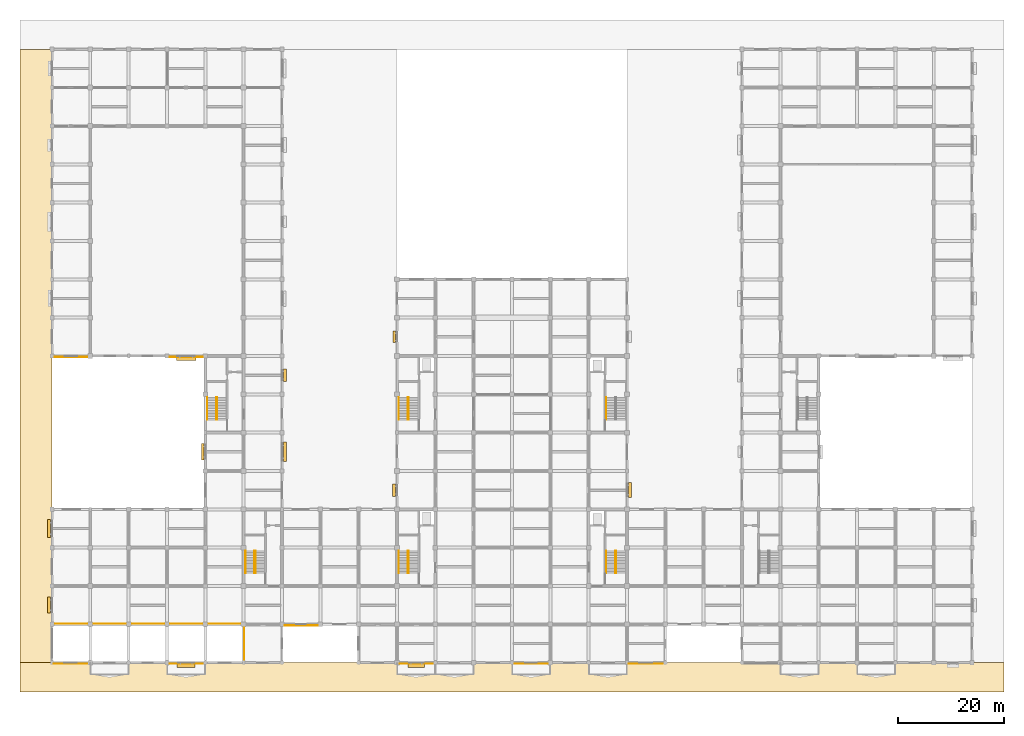
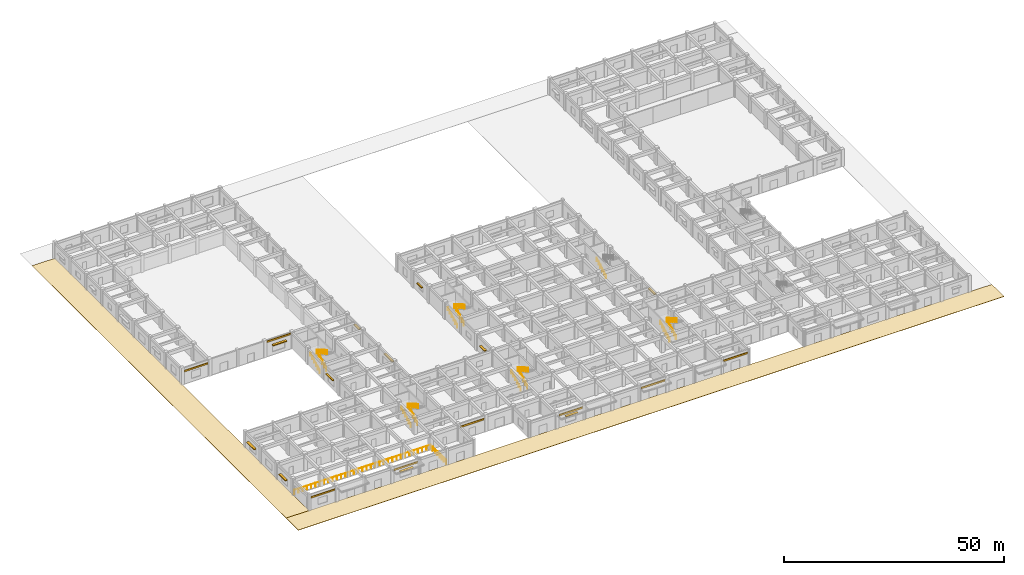
# One storey, part 35 of 37: 12 railings, 11 shading devices, 10 coverings.
"""IFC4 building model written with IfcOpenShell, lengths in metres."""

from ifc_helpers import new_model, si_unit, direction, frame, origin, origin_2d, place, context, subcontext, project, spatial, polyline, rectangle, circle, outline, extrude, material, layer, layer_set, type_object, element, save


model = new_model("IFC4")

# Units and contexts
model_context = context("Model", 3, precision=1e-05, world=origin(), true_north=direction((0.0, 1.0)))
body_context = subcontext(model_context, "Body", "Model", "MODEL_VIEW")
ifc_project = project(units=[si_unit("LENGTHUNIT", "METRE"), si_unit("AREAUNIT", "SQUARE_METRE"), si_unit("VOLUMEUNIT", "CUBIC_METRE"), si_unit("PLANEANGLEUNIT", "RADIAN"), si_unit("MASSUNIT", "GRAM", prefix="KILO")], contexts=[model_context])

# Site, building, storey
site_placement = place(None, origin())
site = spatial("IfcSite", under=ifc_project, at=site_placement, CompositionType="ELEMENT")
building_placement = place(site_placement, origin())
building = spatial("IfcBuilding", under=site, at=building_placement, Name="Cendaluz Park School", CompositionType="ELEMENT")
storey_placement = place(building_placement, origin())
storey = spatial("IfcBuildingStorey", under=building, at=storey_placement, Name="L00", CompositionType="ELEMENT", Elevation=0.0)

# Coverings
ifc_material_1 = material(Name="Polychrome Majolica Tile")
ifc_layer_1 = layer(ifc_material_1, 0.0400390625)
ifc_layer_set_1 = layer_set([ifc_layer_1], Name="Polychrome Majolica Tile")
covering_type_1 = type_object("IfcCoveringType", Name="CV-CL01", PredefinedType="CLADDING", material=ifc_layer_set_1)
covering_1_placement = place(storey_placement, frame((0.0, 0.0, 3.340087890625)))
element("IfcCovering", 1, at=covering_1_placement, inside=storey, type_object=covering_type_1, Name="CV-CL-L00-00-00", PredefinedType="CLADDING", context=body_context, shape_type="SweptSolid", body=[
    extrude(outline(polyline([(0.35009765625, -0.219970703125), (6.64990234375, -0.219970703125), (6.64990234375, -0.177978515625), (0.35009765625, -0.177978515625), (0.35009765625, -0.219970703125)])), origin(), (0.0, 0.0, 1.0), 0.5),
])
covering_2_placement = place(storey_placement, frame((0.0, 0.0, 3.340087890625)))
element("IfcCovering", 2, at=covering_2_placement, inside=storey, type_object=covering_type_1, Name="CV-CL-L00-00-08", PredefinedType="CLADDING", context=body_context, shape_type="SweptSolid", body=[
    extrude(outline(polyline([(0.5, 57.3798828125), (6.64990234375, 57.3798828125), (6.64990234375, 57.422119140625), (0.5, 57.422119140625), (0.5, 57.3798828125)])), origin(), (0.0, 0.0, 1.0), 0.5),
])
covering_3_placement = place(storey_placement, frame((0.0, 0.0, 3.340087890625)))
element("IfcCovering", 3, at=covering_3_placement, inside=storey, type_object=covering_type_1, Name="CV-CL-L00-03-00", PredefinedType="CLADDING", context=body_context, shape_type="SweptSolid", body=[
    extrude(outline(polyline([(22.10009765625, -0.219970703125), (28.324951171875, -0.219970703125), (28.324951171875, -0.177978515625), (22.10009765625, -0.177978515625), (22.10009765625, -0.219970703125)])), origin(), (0.0, 0.0, 1.0), 0.5),
])
covering_4_placement = place(storey_placement, frame((0.0, 0.0, 3.919921875)))
element("IfcCovering", 4, at=covering_4_placement, inside=storey, type_object=covering_type_1, Name="CV-CL-L00-03-08", PredefinedType="CLADDING", context=body_context, shape_type="SweptSolid", body=[
    extrude(outline(polyline([(22.10009765625, 57.3798828125), (28.300048828125, 57.3798828125), (28.300048828125, 57.422119140625), (22.10009765625, 57.422119140625), (22.10009765625, 57.3798828125)])), origin(), (0.0, 0.0, 1.0), 0.5),
])
covering_5_placement = place(storey_placement, frame((0.0, 0.0, 3.340087890625)))
element("IfcCovering", 5, at=covering_5_placement, inside=storey, type_object=covering_type_1, Name="CV-CL-L00-06-01", PredefinedType="CLADDING", context=body_context, shape_type="SweptSolid", body=[
    extrude(outline(polyline([(43.699951171875, 6.97998046875), (49.89990234375, 6.97998046875), (49.89990234375, 7.02197265625), (43.699951171875, 7.02197265625), (43.699951171875, 6.97998046875)])), origin(), (0.0, 0.0, 1.0), 0.5),
])
covering_6_placement = place(storey_placement, frame((0.0, 0.0, 3.340087890625)))
element("IfcCovering", 6, at=covering_6_placement, inside=storey, type_object=covering_type_1, Name="CV-CL-L00-09-00", PredefinedType="CLADDING", context=body_context, shape_type="SweptSolid", body=[
    extrude(outline(polyline([(65.35009765625, -0.219970703125), (71.52490234375, -0.219970703125), (71.52490234375, -0.177978515625), (65.35009765625, -0.177978515625), (65.35009765625, -0.219970703125)])), origin(), (0.0, 0.0, 1.0), 0.5),
])
covering_7_placement = place(storey_placement, frame((0.0, 0.0, 3.340087890625)))
element("IfcCovering", 7, at=covering_7_placement, inside=storey, type_object=covering_type_1, Name="CV-CL-L00-12-00", PredefinedType="CLADDING", context=body_context, shape_type="SweptSolid", body=[
    extrude(outline(polyline([(86.875, -0.219970703125), (93.10009765625, -0.219970703125), (93.10009765625, -0.177978515625), (86.875, -0.177978515625), (86.875, -0.219970703125)])), origin(), (0.0, 0.0, 1.0), 0.5),
])
covering_8_placement = place(storey_placement, frame((0.0, 0.0, 3.340087890625)))
element("IfcCovering", 8, at=covering_8_placement, inside=storey, type_object=covering_type_1, Name="CV-CL-L00-15-00", PredefinedType="CLADDING", context=body_context, shape_type="SweptSolid", body=[
    extrude(outline(polyline([(108.35009765625, -0.219970703125), (114.72509765625, -0.219970703125), (114.72509765625, -0.177978515625), (108.35009765625, -0.177978515625), (108.35009765625, -0.219970703125)])), origin(), (0.0, 0.0, 1.0), 0.5),
])
ifc_material_2 = material(Name="Granite Ashlar Stone", Category="masonry")
ifc_layer_2 = layer(ifc_material_2, 0.080078125)
ifc_layer_set_2 = layer_set([ifc_layer_2], Name="Granite Ashlar Stone")
covering_type_2 = type_object("IfcCoveringType", Name="CV-PV01", PredefinedType="FLOORING", material=ifc_layer_set_2)
covering_9_placement = place(storey_placement, frame((0.0, 0.0, -0.080078125)))
element("IfcCovering", 9, at=covering_9_placement, inside=storey, type_object=covering_type_2, Name="CV-APRON-S", PredefinedType="FLOORING", context=body_context, shape_type="SweptSolid", body=[
    extrude(outline(polyline([(-6.0, -5.5), (178.800048828125, -5.5), (178.800048828125, 0.0), (-6.0, 0.0), (-6.0, -5.5)])), origin(), (0.0, 0.0, 1.0), 0.080078125),
])
covering_10_placement = place(storey_placement, frame((0.0, 0.0, -0.080078125)))
element("IfcCovering", 10, at=covering_10_placement, inside=storey, type_object=covering_type_2, Name="CV-APRON-W", PredefinedType="FLOORING", context=body_context, shape_type="SweptSolid", body=[
    extrude(outline(polyline([(-6.0, 0.0), (0.0, 0.0), (0.0, 115.199951171875), (-6.0, 115.199951171875), (-6.0, 0.0)])), origin(), (0.0, 0.0, 1.0), 0.080078125),
])

# Railings
ifc_material_3 = material(Name="Wrought Iron")
railing_type_1 = type_object("IfcRailingType", Name="GR-ST01", PredefinedType="BALUSTRADE", material=ifc_material_3)
railing_1_placement = place(storey_placement, frame((66.840087890625, 16.800048828125, 0.159912109375)))
element("IfcRailing", 11, at=railing_1_placement, inside=storey, type_object=railing_type_1, Name="GR-ST-003", PredefinedType="BALUSTRADE", context=body_context, shape_type="SweptSolid", body=[
    extrude(circle(Radius=0.02392578125, at=origin_2d()), frame((0.0, 0.0, 1.076171875), z_axis=(0.0, 0.882351521365, 0.470590897432), x_axis=(-1.0, 0.0, 0.0)), (0.0, 0.0, 1.0), 4.760009765625),
    extrude(circle(Radius=0.02392578125, at=origin_2d()), frame((0.0, 4.199951171875, 3.31591796875), z_axis=(1.0, 0.0, 0.0), x_axis=(0.0, 1.0, 0.0)), (0.0, 0.0, 1.0), 0.169921875),
    extrude(circle(Radius=0.02392578125, at=origin_2d()), frame((0.169921875, 4.199951171875, 3.31591796875), z_axis=(0.0, -0.868227612608, 0.496166114024), x_axis=(1.0, 0.0, 0.0)), (0.0, 0.0, 1.0), 4.83740234375),
    extrude(circle(Radius=0.02099609375, at=origin_2d()), origin(), (0.0, 0.0, 1.0), 1.052001953125),
    extrude(circle(Radius=0.02099609375, at=origin_2d()), frame((0.0, 0.840087890625, 0.447998046875)), (0.0, 0.0, 1.0), 1.052001953125),
    extrude(circle(Radius=0.02099609375, at=origin_2d()), frame((0.0, 1.679931640625, 0.89599609375)), (0.0, 0.0, 1.0), 1.052001953125),
    extrude(circle(Radius=0.02099609375, at=origin_2d()), frame((0.0, 2.52001953125, 1.343994140625)), (0.0, 0.0, 1.0), 1.052001953125),
    extrude(circle(Radius=0.02099609375, at=origin_2d()), frame((0.0, 3.35986328125, 1.7919921875)), (0.0, 0.0, 1.0), 1.052001953125),
    extrude(circle(Radius=0.02099609375, at=origin_2d()), frame((0.0, 4.199951171875, 2.239990234375)), (0.0, 0.0, 1.0), 1.052001953125),
    extrude(circle(Radius=0.02099609375, at=origin_2d()), frame((0.169921875, 4.199951171875, 2.239990234375)), (0.0, 0.0, 1.0), 1.052001953125),
    extrude(circle(Radius=0.02099609375, at=origin_2d()), frame((0.169921875, 3.35986328125, 2.719970703125)), (0.0, 0.0, 1.0), 1.052001953125),
    extrude(circle(Radius=0.02099609375, at=origin_2d()), frame((0.169921875, 2.52001953125, 3.199951171875)), (0.0, 0.0, 1.0), 1.052001953125),
    extrude(circle(Radius=0.02099609375, at=origin_2d()), frame((0.169921875, 1.679931640625, 3.68017578125)), (0.0, 0.0, 1.0), 1.052001953125),
    extrude(circle(Radius=0.02099609375, at=origin_2d()), frame((0.169921875, 0.840087890625, 4.16015625)), (0.0, 0.0, 1.0), 1.052001953125),
    extrude(circle(Radius=0.02099609375, at=origin_2d()), frame((0.169921875, 0.0, 4.64013671875)), (0.0, 0.0, 1.0), 1.052001953125),
])
railing_2_placement = place(storey_placement, frame((105.7900390625, 16.800048828125, 0.159912109375)))
element("IfcRailing", 12, at=railing_2_placement, inside=storey, type_object=railing_type_1, Name="GR-ST-038", PredefinedType="BALUSTRADE", context=body_context, shape_type="SweptSolid", body=[
    extrude(circle(Radius=0.02392578125, at=origin_2d()), frame((0.0, 0.0, 1.076171875), z_axis=(0.0, 0.882351521365, 0.470590897432), x_axis=(-1.0, 0.0, 0.0)), (0.0, 0.0, 1.0), 4.760009765625),
    extrude(circle(Radius=0.02392578125, at=origin_2d()), frame((0.0, 4.199951171875, 3.31591796875), z_axis=(1.0, 0.0, 0.0), x_axis=(0.0, 1.0, 0.0)), (0.0, 0.0, 1.0), 0.169921875),
    extrude(circle(Radius=0.02392578125, at=origin_2d()), frame((0.169921875, 4.199951171875, 3.31591796875), z_axis=(0.0, -0.868227612608, 0.496166114024), x_axis=(1.0, 0.0, 0.0)), (0.0, 0.0, 1.0), 4.83740234375),
    extrude(circle(Radius=0.02099609375, at=origin_2d()), origin(), (0.0, 0.0, 1.0), 1.052001953125),
    extrude(circle(Radius=0.02099609375, at=origin_2d()), frame((0.0, 0.840087890625, 0.447998046875)), (0.0, 0.0, 1.0), 1.052001953125),
    extrude(circle(Radius=0.02099609375, at=origin_2d()), frame((0.0, 1.679931640625, 0.89599609375)), (0.0, 0.0, 1.0), 1.052001953125),
    extrude(circle(Radius=0.02099609375, at=origin_2d()), frame((0.0, 2.52001953125, 1.343994140625)), (0.0, 0.0, 1.0), 1.052001953125),
    extrude(circle(Radius=0.02099609375, at=origin_2d()), frame((0.0, 3.35986328125, 1.7919921875)), (0.0, 0.0, 1.0), 1.052001953125),
    extrude(circle(Radius=0.02099609375, at=origin_2d()), frame((0.0, 4.199951171875, 2.239990234375)), (0.0, 0.0, 1.0), 1.052001953125),
    extrude(circle(Radius=0.02099609375, at=origin_2d()), frame((0.169921875, 4.199951171875, 2.239990234375)), (0.0, 0.0, 1.0), 1.052001953125),
    extrude(circle(Radius=0.02099609375, at=origin_2d()), frame((0.169921875, 3.35986328125, 2.719970703125)), (0.0, 0.0, 1.0), 1.052001953125),
    extrude(circle(Radius=0.02099609375, at=origin_2d()), frame((0.169921875, 2.52001953125, 3.199951171875)), (0.0, 0.0, 1.0), 1.052001953125),
    extrude(circle(Radius=0.02099609375, at=origin_2d()), frame((0.169921875, 1.679931640625, 3.68017578125)), (0.0, 0.0, 1.0), 1.052001953125),
    extrude(circle(Radius=0.02099609375, at=origin_2d()), frame((0.169921875, 0.840087890625, 4.16015625)), (0.0, 0.0, 1.0), 1.052001953125),
    extrude(circle(Radius=0.02099609375, at=origin_2d()), frame((0.169921875, 0.0, 4.64013671875)), (0.0, 0.0, 1.0), 1.052001953125),
])
railing_3_placement = place(storey_placement, frame((66.840087890625, 45.60009765625, 0.159912109375)))
element("IfcRailing", 13, at=railing_3_placement, inside=storey, type_object=railing_type_1, Name="GR-ST-073", PredefinedType="BALUSTRADE", context=body_context, shape_type="SweptSolid", body=[
    extrude(circle(Radius=0.02392578125, at=origin_2d()), frame((0.0, 0.0, 1.076171875), z_axis=(0.0, 0.882351521365, 0.470590897432), x_axis=(-1.0, 0.0, 0.0)), (0.0, 0.0, 1.0), 4.760009765625),
    extrude(circle(Radius=0.02392578125, at=origin_2d()), frame((0.0, 4.199951171875, 3.31591796875), z_axis=(1.0, 0.0, 0.0), x_axis=(0.0, 1.0, 0.0)), (0.0, 0.0, 1.0), 0.169921875),
    extrude(circle(Radius=0.02392578125, at=origin_2d()), frame((0.169921875, 4.199951171875, 3.31591796875), z_axis=(0.0, -0.868227612608, 0.496166114024), x_axis=(1.0, 0.0, 0.0)), (0.0, 0.0, 1.0), 4.83740234375),
    extrude(circle(Radius=0.02099609375, at=origin_2d()), origin(), (0.0, 0.0, 1.0), 1.052001953125),
    extrude(circle(Radius=0.02099609375, at=origin_2d()), frame((0.0, 0.840087890625, 0.447998046875)), (0.0, 0.0, 1.0), 1.052001953125),
    extrude(circle(Radius=0.02099609375, at=origin_2d()), frame((0.0, 1.679931640625, 0.89599609375)), (0.0, 0.0, 1.0), 1.052001953125),
    extrude(circle(Radius=0.02099609375, at=origin_2d()), frame((0.0, 2.52001953125, 1.343994140625)), (0.0, 0.0, 1.0), 1.052001953125),
    extrude(circle(Radius=0.02099609375, at=origin_2d()), frame((0.0, 3.35986328125, 1.7919921875)), (0.0, 0.0, 1.0), 1.052001953125),
    extrude(circle(Radius=0.02099609375, at=origin_2d()), frame((0.0, 4.199951171875, 2.239990234375)), (0.0, 0.0, 1.0), 1.052001953125),
    extrude(circle(Radius=0.02099609375, at=origin_2d()), frame((0.169921875, 4.199951171875, 2.239990234375)), (0.0, 0.0, 1.0), 1.052001953125),
    extrude(circle(Radius=0.02099609375, at=origin_2d()), frame((0.169921875, 3.35986328125, 2.719970703125)), (0.0, 0.0, 1.0), 1.052001953125),
    extrude(circle(Radius=0.02099609375, at=origin_2d()), frame((0.169921875, 2.52001953125, 3.199951171875)), (0.0, 0.0, 1.0), 1.052001953125),
    extrude(circle(Radius=0.02099609375, at=origin_2d()), frame((0.169921875, 1.679931640625, 3.68017578125)), (0.0, 0.0, 1.0), 1.052001953125),
    extrude(circle(Radius=0.02099609375, at=origin_2d()), frame((0.169921875, 0.840087890625, 4.16015625)), (0.0, 0.0, 1.0), 1.052001953125),
    extrude(circle(Radius=0.02099609375, at=origin_2d()), frame((0.169921875, 0.0, 4.64013671875)), (0.0, 0.0, 1.0), 1.052001953125),
])
railing_4_placement = place(storey_placement, frame((38.0400390625, 16.800048828125, 0.159912109375)))
element("IfcRailing", 14, at=railing_4_placement, inside=storey, type_object=railing_type_1, Name="GR-ST-143", PredefinedType="BALUSTRADE", context=body_context, shape_type="SweptSolid", body=[
    extrude(circle(Radius=0.02392578125, at=origin_2d()), frame((0.0, 0.0, 1.076171875), z_axis=(0.0, 0.882351521365, 0.470590897432), x_axis=(-1.0, 0.0, 0.0)), (0.0, 0.0, 1.0), 4.760009765625),
    extrude(circle(Radius=0.02392578125, at=origin_2d()), frame((0.0, 4.199951171875, 3.31591796875), z_axis=(1.0, 0.0, 0.0), x_axis=(0.0, 1.0, 0.0)), (0.0, 0.0, 1.0), 0.169921875),
    extrude(circle(Radius=0.02392578125, at=origin_2d()), frame((0.169921875, 4.199951171875, 3.31591796875), z_axis=(0.0, -0.868227612608, 0.496166114024), x_axis=(1.0, 0.0, 0.0)), (0.0, 0.0, 1.0), 4.83740234375),
    extrude(circle(Radius=0.02099609375, at=origin_2d()), origin(), (0.0, 0.0, 1.0), 1.052001953125),
    extrude(circle(Radius=0.02099609375, at=origin_2d()), frame((0.0, 0.840087890625, 0.447998046875)), (0.0, 0.0, 1.0), 1.052001953125),
    extrude(circle(Radius=0.02099609375, at=origin_2d()), frame((0.0, 1.679931640625, 0.89599609375)), (0.0, 0.0, 1.0), 1.052001953125),
    extrude(circle(Radius=0.02099609375, at=origin_2d()), frame((0.0, 2.52001953125, 1.343994140625)), (0.0, 0.0, 1.0), 1.052001953125),
    extrude(circle(Radius=0.02099609375, at=origin_2d()), frame((0.0, 3.35986328125, 1.7919921875)), (0.0, 0.0, 1.0), 1.052001953125),
    extrude(circle(Radius=0.02099609375, at=origin_2d()), frame((0.0, 4.199951171875, 2.239990234375)), (0.0, 0.0, 1.0), 1.052001953125),
    extrude(circle(Radius=0.02099609375, at=origin_2d()), frame((0.169921875, 4.199951171875, 2.239990234375)), (0.0, 0.0, 1.0), 1.052001953125),
    extrude(circle(Radius=0.02099609375, at=origin_2d()), frame((0.169921875, 3.35986328125, 2.719970703125)), (0.0, 0.0, 1.0), 1.052001953125),
    extrude(circle(Radius=0.02099609375, at=origin_2d()), frame((0.169921875, 2.52001953125, 3.199951171875)), (0.0, 0.0, 1.0), 1.052001953125),
    extrude(circle(Radius=0.02099609375, at=origin_2d()), frame((0.169921875, 1.679931640625, 3.68017578125)), (0.0, 0.0, 1.0), 1.052001953125),
    extrude(circle(Radius=0.02099609375, at=origin_2d()), frame((0.169921875, 0.840087890625, 4.16015625)), (0.0, 0.0, 1.0), 1.052001953125),
    extrude(circle(Radius=0.02099609375, at=origin_2d()), frame((0.169921875, 0.0, 4.64013671875)), (0.0, 0.0, 1.0), 1.052001953125),
])
railing_5_placement = place(storey_placement, frame((30.840087890625, 45.60009765625, 0.159912109375)))
element("IfcRailing", 15, at=railing_5_placement, inside=storey, type_object=railing_type_1, Name="GR-ST-177", PredefinedType="BALUSTRADE", context=body_context, shape_type="SweptSolid", body=[
    extrude(circle(Radius=0.02392578125, at=origin_2d()), frame((0.0, 0.0, 1.076171875), z_axis=(0.0, 0.882351521365, 0.470590897432), x_axis=(-1.0, 0.0, 0.0)), (0.0, 0.0, 1.0), 4.760009765625),
    extrude(circle(Radius=0.02392578125, at=origin_2d()), frame((0.0, 4.199951171875, 3.31591796875), z_axis=(1.0, 0.0, 0.0), x_axis=(0.0, 1.0, 0.0)), (0.0, 0.0, 1.0), 0.169921875),
    extrude(circle(Radius=0.02392578125, at=origin_2d()), frame((0.169921875, 4.199951171875, 3.31591796875), z_axis=(0.0, -0.868227612608, 0.496166114024), x_axis=(1.0, 0.0, 0.0)), (0.0, 0.0, 1.0), 4.83740234375),
    extrude(circle(Radius=0.02099609375, at=origin_2d()), origin(), (0.0, 0.0, 1.0), 1.052001953125),
    extrude(circle(Radius=0.02099609375, at=origin_2d()), frame((0.0, 0.840087890625, 0.447998046875)), (0.0, 0.0, 1.0), 1.052001953125),
    extrude(circle(Radius=0.02099609375, at=origin_2d()), frame((0.0, 1.679931640625, 0.89599609375)), (0.0, 0.0, 1.0), 1.052001953125),
    extrude(circle(Radius=0.02099609375, at=origin_2d()), frame((0.0, 2.52001953125, 1.343994140625)), (0.0, 0.0, 1.0), 1.052001953125),
    extrude(circle(Radius=0.02099609375, at=origin_2d()), frame((0.0, 3.35986328125, 1.7919921875)), (0.0, 0.0, 1.0), 1.052001953125),
    extrude(circle(Radius=0.02099609375, at=origin_2d()), frame((0.0, 4.199951171875, 2.239990234375)), (0.0, 0.0, 1.0), 1.052001953125),
    extrude(circle(Radius=0.02099609375, at=origin_2d()), frame((0.169921875, 4.199951171875, 2.239990234375)), (0.0, 0.0, 1.0), 1.052001953125),
    extrude(circle(Radius=0.02099609375, at=origin_2d()), frame((0.169921875, 3.35986328125, 2.719970703125)), (0.0, 0.0, 1.0), 1.052001953125),
    extrude(circle(Radius=0.02099609375, at=origin_2d()), frame((0.169921875, 2.52001953125, 3.199951171875)), (0.0, 0.0, 1.0), 1.052001953125),
    extrude(circle(Radius=0.02099609375, at=origin_2d()), frame((0.169921875, 1.679931640625, 3.68017578125)), (0.0, 0.0, 1.0), 1.052001953125),
    extrude(circle(Radius=0.02099609375, at=origin_2d()), frame((0.169921875, 0.840087890625, 4.16015625)), (0.0, 0.0, 1.0), 1.052001953125),
    extrude(circle(Radius=0.02099609375, at=origin_2d()), frame((0.169921875, 0.0, 4.64013671875)), (0.0, 0.0, 1.0), 1.052001953125),
])
ifc_material_4 = material(Name="Tempered Low-E Double Glazing", Category="glass")
railing_type_2 = type_object("IfcRailingType", Name="GR-VD01", PredefinedType="GUARDRAIL", material=ifc_material_4)
railing_6_placement = place(storey_placement, frame((0.35009765625, 7.320068359375, 0.0)))
element("IfcRailing", 16, at=railing_6_placement, inside=storey, type_object=railing_type_2, Name="GR-RAMP-L00-N", PredefinedType="GUARDRAIL", context=body_context, shape_type="SweptSolid", body=[
    extrude(circle(Radius=0.02392578125, at=origin_2d()), frame((0.0, 0.0, 1.1259765625), z_axis=(1.0, 0.0, 0.0), x_axis=(0.0, 1.0, 0.0)), (0.0, 0.0, 1.0), 35.77001953125),
    extrude(circle(Radius=0.02392578125, at=origin_2d()), frame((35.77001953125, 0.0, 1.1259765625), z_axis=(0.0, -1.0, 0.0), x_axis=(1.0, 0.0, 0.0)), (0.0, 0.0, 1.0), 6.969970703125),
    extrude(circle(Radius=0.02099609375, at=origin_2d()), origin(), (0.0, 0.0, 1.0), 1.101806640625),
    extrude(circle(Radius=0.02099609375, at=origin_2d()), frame((1.117919921875, 0.0, 0.0)), (0.0, 0.0, 1.0), 1.101806640625),
    extrude(circle(Radius=0.02099609375, at=origin_2d()), frame((2.235595703125, 0.0, 0.0)), (0.0, 0.0, 1.0), 1.101806640625),
    extrude(circle(Radius=0.02099609375, at=origin_2d()), frame((3.353515625, 0.0, 0.0)), (0.0, 0.0, 1.0), 1.101806640625),
    extrude(circle(Radius=0.02099609375, at=origin_2d()), frame((4.47119140625, 0.0, 0.0)), (0.0, 0.0, 1.0), 1.101806640625),
    extrude(circle(Radius=0.02099609375, at=origin_2d()), frame((5.589111328125, 0.0, 0.0)), (0.0, 0.0, 1.0), 1.101806640625),
    extrude(circle(Radius=0.02099609375, at=origin_2d()), frame((6.706787109375, 0.0, 0.0)), (0.0, 0.0, 1.0), 1.101806640625),
    extrude(circle(Radius=0.02099609375, at=origin_2d()), frame((7.82470703125, 0.0, 0.0)), (0.0, 0.0, 1.0), 1.101806640625),
    extrude(circle(Radius=0.02099609375, at=origin_2d()), frame((8.9423828125, 0.0, 0.0)), (0.0, 0.0, 1.0), 1.101806640625),
    extrude(circle(Radius=0.02099609375, at=origin_2d()), frame((10.060302734375, 0.0, 0.0)), (0.0, 0.0, 1.0), 1.101806640625),
    extrude(circle(Radius=0.02099609375, at=origin_2d()), frame((11.17822265625, 0.0, 0.0)), (0.0, 0.0, 1.0), 1.101806640625),
    extrude(circle(Radius=0.02099609375, at=origin_2d()), frame((12.2958984375, 0.0, 0.0)), (0.0, 0.0, 1.0), 1.101806640625),
    extrude(circle(Radius=0.02099609375, at=origin_2d()), frame((13.413818359375, 0.0, 0.0)), (0.0, 0.0, 1.0), 1.101806640625),
    extrude(circle(Radius=0.02099609375, at=origin_2d()), frame((14.531494140625, 0.0, 0.0)), (0.0, 0.0, 1.0), 1.101806640625),
    extrude(circle(Radius=0.02099609375, at=origin_2d()), frame((15.6494140625, 0.0, 0.0)), (0.0, 0.0, 1.0), 1.101806640625),
    extrude(circle(Radius=0.02099609375, at=origin_2d()), frame((16.76708984375, 0.0, 0.0)), (0.0, 0.0, 1.0), 1.101806640625),
    extrude(circle(Radius=0.02099609375, at=origin_2d()), frame((17.885009765625, 0.0, 0.0)), (0.0, 0.0, 1.0), 1.101806640625),
    extrude(circle(Radius=0.02099609375, at=origin_2d()), frame((19.0029296875, 0.0, 0.0)), (0.0, 0.0, 1.0), 1.101806640625),
    extrude(circle(Radius=0.02099609375, at=origin_2d()), frame((20.12060546875, 0.0, 0.0)), (0.0, 0.0, 1.0), 1.101806640625),
    extrude(circle(Radius=0.02099609375, at=origin_2d()), frame((21.238525390625, 0.0, 0.0)), (0.0, 0.0, 1.0), 1.101806640625),
    extrude(circle(Radius=0.02099609375, at=origin_2d()), frame((22.356201171875, 0.0, 0.0)), (0.0, 0.0, 1.0), 1.101806640625),
    extrude(circle(Radius=0.02099609375, at=origin_2d()), frame((23.47412109375, 0.0, 0.0)), (0.0, 0.0, 1.0), 1.101806640625),
    extrude(circle(Radius=0.02099609375, at=origin_2d()), frame((24.591796875, 0.0, 0.0)), (0.0, 0.0, 1.0), 1.101806640625),
    extrude(circle(Radius=0.02099609375, at=origin_2d()), frame((25.709716796875, 0.0, 0.0)), (0.0, 0.0, 1.0), 1.101806640625),
    extrude(circle(Radius=0.02099609375, at=origin_2d()), frame((26.82763671875, 0.0, 0.0)), (0.0, 0.0, 1.0), 1.101806640625),
    extrude(circle(Radius=0.02099609375, at=origin_2d()), frame((27.9453125, 0.0, 0.0)), (0.0, 0.0, 1.0), 1.101806640625),
    extrude(circle(Radius=0.02099609375, at=origin_2d()), frame((29.063232421875, 0.0, 0.0)), (0.0, 0.0, 1.0), 1.101806640625),
    extrude(circle(Radius=0.02099609375, at=origin_2d()), frame((30.180908203125, 0.0, 0.0)), (0.0, 0.0, 1.0), 1.101806640625),
    extrude(circle(Radius=0.02099609375, at=origin_2d()), frame((31.298828125, 0.0, 0.0)), (0.0, 0.0, 1.0), 1.101806640625),
    extrude(circle(Radius=0.02099609375, at=origin_2d()), frame((32.41650390625, 0.0, 0.0)), (0.0, 0.0, 1.0), 1.101806640625),
    extrude(circle(Radius=0.02099609375, at=origin_2d()), frame((33.534423828125, 0.0, 0.0)), (0.0, 0.0, 1.0), 1.101806640625),
    extrude(circle(Radius=0.02099609375, at=origin_2d()), frame((34.652099609375, 0.0, 0.0)), (0.0, 0.0, 1.0), 1.101806640625),
    extrude(circle(Radius=0.02099609375, at=origin_2d()), frame((35.77001953125, 0.0, 0.0)), (0.0, 0.0, 1.0), 1.101806640625),
    extrude(circle(Radius=0.02099609375, at=origin_2d()), frame((35.77001953125, -0.99560546875, 0.0)), (0.0, 0.0, 1.0), 1.101806640625),
    extrude(circle(Radius=0.02099609375, at=origin_2d()), frame((35.77001953125, -1.991455078125, 0.0)), (0.0, 0.0, 1.0), 1.101806640625),
    extrude(circle(Radius=0.02099609375, at=origin_2d()), frame((35.77001953125, -2.987060546875, 0.0)), (0.0, 0.0, 1.0), 1.101806640625),
    extrude(circle(Radius=0.02099609375, at=origin_2d()), frame((35.77001953125, -3.98291015625, 0.0)), (0.0, 0.0, 1.0), 1.101806640625),
    extrude(circle(Radius=0.02099609375, at=origin_2d()), frame((35.77001953125, -4.978515625, 0.0)), (0.0, 0.0, 1.0), 1.101806640625),
    extrude(circle(Radius=0.02099609375, at=origin_2d()), frame((35.77001953125, -5.974365234375, 0.0)), (0.0, 0.0, 1.0), 1.101806640625),
    extrude(circle(Radius=0.02099609375, at=origin_2d()), frame((35.77001953125, -6.969970703125, 0.0)), (0.0, 0.0, 1.0), 1.101806640625),
])
ifc_material_5 = material(Name="Architectural Bronze")
railing_type_3 = type_object("IfcRailingType", Name="HR-ST01", PredefinedType="HANDRAIL", material=ifc_material_5)
for number, where, name in (
    (17, (65.14990234375, 16.800048828125, 0.159912109375), "HR-ST-004"),
    (18, (104.10009765625, 16.800048828125, 0.159912109375), "HR-ST-039"),
    (19, (65.14990234375, 45.60009765625, 0.159912109375), "HR-ST-074"),
    (20, (104.10009765625, 45.60009765625, 0.159912109375), "HR-ST-109"),
    (21, (36.35009765625, 16.800048828125, 0.159912109375), "HR-ST-144"),
    (22, (29.14990234375, 45.60009765625, 0.159912109375), "HR-ST-178"),
):
    element("IfcRailing", number, at=place(storey_placement, frame(where)), inside=storey, type_object=railing_type_3, Name=name, PredefinedType="HANDRAIL", context=body_context, shape_type="SweptSolid", body=[
        extrude(circle(Radius=0.02392578125, at=origin_2d()), frame((0.0, 0.0, 0.8759765625), z_axis=(0.0, 0.882351521365, 0.470590897432), x_axis=(-1.0, 0.0, 0.0)), (0.0, 0.0, 1.0), 4.760009765625),
        extrude(circle(Radius=0.02099609375, at=origin_2d()), origin(), (0.0, 0.0, 1.0), 0.851806640625),
        extrude(circle(Radius=0.02099609375, at=origin_2d()), frame((0.0, 0.840087890625, 0.447998046875)), (0.0, 0.0, 1.0), 0.851806640625),
        extrude(circle(Radius=0.02099609375, at=origin_2d()), frame((0.0, 1.679931640625, 0.89599609375)), (0.0, 0.0, 1.0), 0.851806640625),
        extrude(circle(Radius=0.02099609375, at=origin_2d()), frame((0.0, 2.52001953125, 1.343994140625)), (0.0, 0.0, 1.0), 0.851806640625),
        extrude(circle(Radius=0.02099609375, at=origin_2d()), frame((0.0, 3.35986328125, 1.7919921875)), (0.0, 0.0, 1.0), 0.851806640625),
        extrude(circle(Radius=0.02099609375, at=origin_2d()), frame((0.0, 4.199951171875, 2.239990234375)), (0.0, 0.0, 1.0), 0.851806640625),
    ])

# Shading devices
ifc_material_6 = material(Name="Anodised Aluminium 6063-T6", Category="aluminium")
shading_device_type_1 = type_object("IfcShadingDeviceType", Name="SD-01", PredefinedType="JALOUSIE", material=ifc_material_6)
shading_device_1_placement = place(storey_placement, frame((-0.56005859375, 10.800048828125, 2.72021484375), z_axis=(0.0, 0.0, 1.0), x_axis=(0.0, 1.0, 0.0)))
element("IfcShadingDevice", 23, at=shading_device_1_placement, inside=storey, type_object=shading_device_type_1, Name="SD-L00-001", PredefinedType="JALOUSIE", context=body_context, shape_type="SweptSolid", body=[
    extrude(rectangle(XDim=3.0, YDim=0.60009765625, at=origin_2d()), origin(), (0.0, 0.0, 1.0), 0.239990234375),
])
for number, where, z_axis, x_axis, name in (
    (24, (-0.56005859375, 25.199951171875, 2.72021484375), (0.0, 0.0, 1.0), (0.0, 1.0, 0.0), "SD-L00-002"),
    (25, (25.21240234375, -0.56005859375, 2.72021484375), (0.0, 0.0, 1.0), (1.0, 0.0, 0.0), "SD-L00-007"),
):
    element("IfcShadingDevice", number, at=place(storey_placement, frame(where, z_axis=z_axis, x_axis=x_axis)), inside=storey, type_object=shading_device_type_1, Name=name, PredefinedType="JALOUSIE", context=body_context, shape_type="SweptSolid", body=[
        extrude(rectangle(XDim=3.39990234375, YDim=0.60009765625, at=origin_2d()), origin(), (0.0, 0.0, 1.0), 0.239990234375),
    ])
for number, where, z_axis, x_axis, name in (
    (26, (25.199951171875, 57.0400390625, 2.8701171875), (0.0, 0.0, 1.0), (1.0, 0.0, 0.0), "SD-L00-008"),
    (27, (43.760009765625, 39.60009765625, 2.8701171875), (0.0, 0.0, 1.0), (0.0, 1.0, 0.0), "SD-L00-010"),
):
    element("IfcShadingDevice", number, at=place(storey_placement, frame(where, z_axis=z_axis, x_axis=x_axis)), inside=storey, type_object=shading_device_type_1, Name=name, PredefinedType="JALOUSIE", context=body_context, shape_type="SweptSolid", body=[
        extrude(rectangle(XDim=3.699951171875, YDim=0.60009765625, at=origin_2d()), origin(), (0.0, 0.0, 1.0), 0.239990234375),
    ])
shading_device_2_placement = place(storey_placement, frame((43.760009765625, 54.0, 2.6201171875), z_axis=(0.0, 0.0, 1.0), x_axis=(0.0, 1.0, 0.0)))
element("IfcShadingDevice", 28, at=shading_device_2_placement, inside=storey, type_object=shading_device_type_1, Name="SD-L00-011", PredefinedType="JALOUSIE", context=body_context, shape_type="SweptSolid", body=[
    extrude(rectangle(XDim=2.300048828125, YDim=0.60009765625, at=origin_2d()), origin(), (0.0, 0.0, 1.0), 0.239990234375),
])
shading_device_3_placement = place(storey_placement, frame((68.4375, -0.56005859375, 2.8701171875), z_axis=(0.0, 0.0, 1.0), x_axis=(1.0, 0.0, 0.0)))
element("IfcShadingDevice", 29, at=shading_device_3_placement, inside=storey, type_object=shading_device_type_1, Name="SD-L00-016", PredefinedType="JALOUSIE", context=body_context, shape_type="SweptSolid", body=[
    extrude(rectangle(XDim=3.10009765625, YDim=0.60009765625, at=origin_2d()), origin(), (0.0, 0.0, 1.0), 0.239990234375),
])
shading_device_4_placement = place(storey_placement, frame((64.239990234375, 32.39990234375, 2.6201171875), z_axis=(0.0, 0.0, 1.0), x_axis=(0.0, 1.0, 0.0)))
element("IfcShadingDevice", 30, at=shading_device_4_placement, inside=storey, type_object=shading_device_type_1, Name="SD-L00-017", PredefinedType="JALOUSIE", context=body_context, shape_type="SweptSolid", body=[
    extrude(rectangle(XDim=2.300048828125, YDim=0.60009765625, at=origin_2d()), origin(), (0.0, 0.0, 1.0), 0.239990234375),
])
shading_device_5_placement = place(storey_placement, frame((108.56005859375, 32.4375, 2.919921875), z_axis=(0.0, 0.0, 1.0), x_axis=(0.0, 1.0, 0.0)))
element("IfcShadingDevice", 31, at=shading_device_5_placement, inside=storey, type_object=shading_device_type_1, Name="SD-L00-019", PredefinedType="JALOUSIE", context=body_context, shape_type="SweptSolid", body=[
    extrude(rectangle(XDim=2.800048828125, YDim=0.60009765625, at=origin_2d()), origin(), (0.0, 0.0, 1.0), 0.239990234375),
])
shading_device_type_2 = type_object("IfcShadingDeviceType", Name="SD-02", PredefinedType="SHUTTER", material=ifc_material_5)
shading_device_6_placement = place(storey_placement, frame((28.31494140625, 39.612548828125, 2.8701171875), z_axis=(0.0, 0.0, 1.0), x_axis=(0.0, 1.0, 0.0)))
element("IfcShadingDevice", 32, at=shading_device_6_placement, inside=storey, type_object=shading_device_type_2, Name="SD-L00-009", PredefinedType="SHUTTER", context=body_context, shape_type="SweptSolid", body=[
    extrude(rectangle(XDim=3.10009765625, YDim=0.449951171875, at=origin_2d()), origin(), (0.0, 0.0, 1.0), 0.239990234375),
])
shading_device_7_placement = place(storey_placement, frame((64.31494140625, 61.199951171875, 2.56982421875), z_axis=(0.0, 0.0, 1.0), x_axis=(0.0, 1.0, 0.0)))
element("IfcShadingDevice", 33, at=shading_device_7_placement, inside=storey, type_object=shading_device_type_2, Name="SD-L00-018", PredefinedType="SHUTTER", context=body_context, shape_type="SweptSolid", body=[
    extrude(rectangle(XDim=2.14990234375, YDim=0.449951171875, at=origin_2d()), origin(), (0.0, 0.0, 1.0), 0.239990234375),
])

save(model, "model.ifc")
